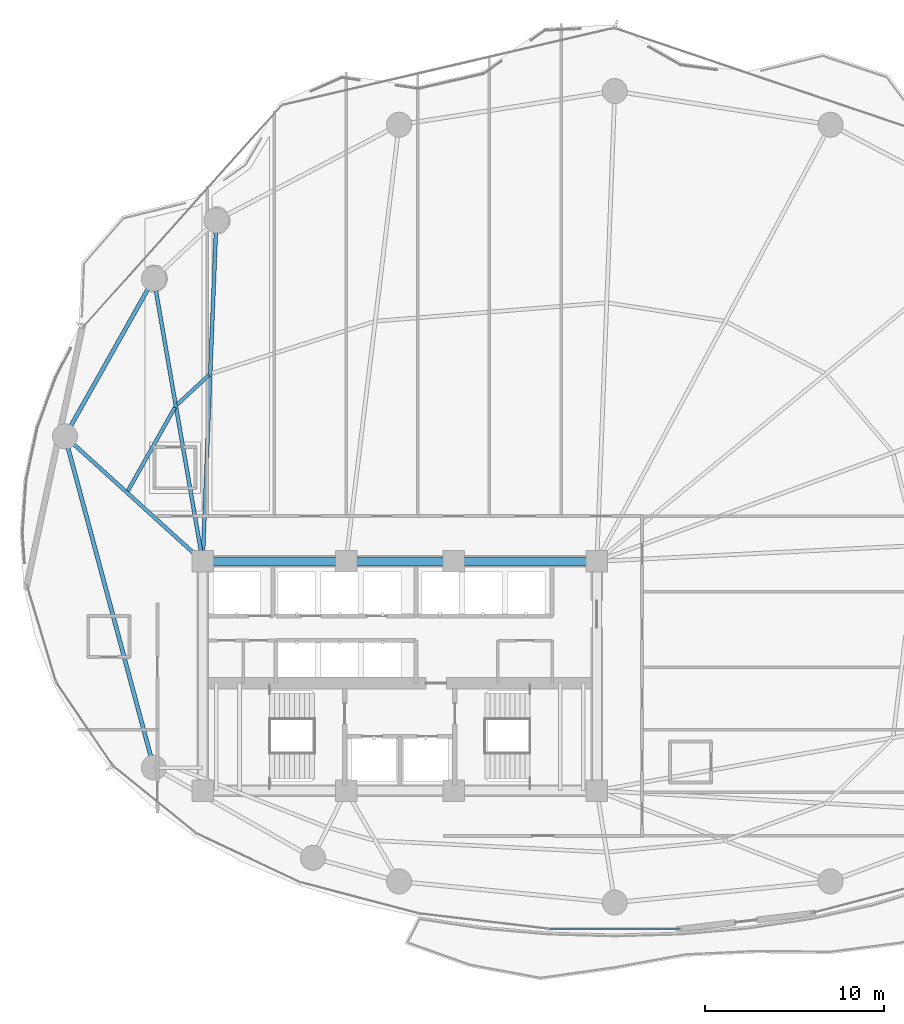
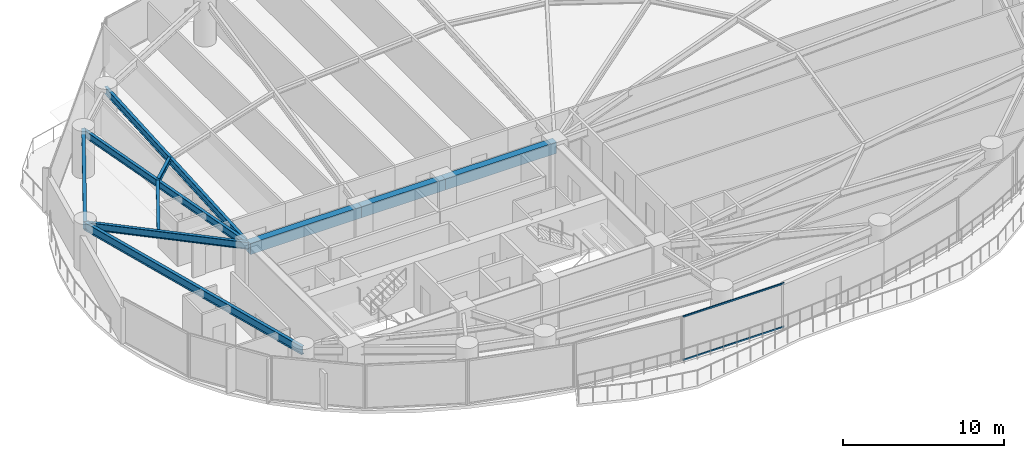
# One storey, part 9 of 31: 10 beams, 2 members, 1 element without a shape of its own.
"""IFC4 building model written with IfcOpenShell, lengths in metres."""

import ifcopenshell
import ifcopenshell.guid

model = None  # the IFC model being written
_history = None  # IfcOwnerHistory: only IFC2X3 demands one
_inside = {}  # id of a spatial element -> (the spatial element, [elements in it])
_under = {}  # id of a project, library or spatial element -> (it, [spatial elements below it])
_declared = {}  # id of a project -> (the project, [libraries it declares])
_typed = {}  # id of a type object -> (the type object, [elements of that type])
_made_of = {}  # id of a material, layer set ... -> (it, [elements and type objects made of it])


def new_model(schema):
    """Start an empty IFC model of exactly this schema.

    Asked for "IFC4X3", IfcOpenShell would pick the latest addendum, in which some entities
    have other attributes; the version numbers below select the first issue.
    IFC2X3 requires an IfcOwnerHistory on every rooted entity: one is made here for all.
    """
    global model, _history
    if schema == "IFC4X3":
        model = ifcopenshell.file(schema_version=(4, 3, 0, 0))
    else:
        model = ifcopenshell.file(schema=schema)
    _inside.clear()
    _under.clear()
    _declared.clear()
    _typed.clear()
    _made_of.clear()
    _history = None
    if model.schema == "IFC2X3":
        org = make("IfcOrganization", Name="unknown")
        user = make(
            "IfcPersonAndOrganization",
            ThePerson=make("IfcPerson", FamilyName="unknown"),
            TheOrganization=org,
        )
        app = make(
            "IfcApplication",
            ApplicationDeveloper=org,
            Version="unknown",
            ApplicationFullName="unknown",
            ApplicationIdentifier="unknown",
        )
        _history = make(
            "IfcOwnerHistory",
            OwningUser=user,
            OwningApplication=app,
            ChangeAction="ADDED",
            CreationDate=0,
        )
    return model


def make(cls, **values):
    """One entity of the class cls with the attributes given. An attribute that is None is left unset."""
    return model.create_entity(
        cls, **{name: value for name, value in values.items() if value is not None}
    )


def rooted(cls, **values):
    """An entity with a GlobalId (a new one), such as an element, a storey or a relation."""
    return make(cls, GlobalId=ifcopenshell.guid.new(), OwnerHistory=_history, **values)


def si_unit(unit_type, name, prefix=None):
    """IfcSIUnit, for example si_unit("LENGTHUNIT", "METRE", prefix="MILLI")."""
    return make("IfcSIUnit", UnitType=unit_type, Prefix=prefix, Name=name)


def assignment(units):
    """IfcUnitAssignment: the units of a project."""
    return None if units is None else make("IfcUnitAssignment", Units=units)


def point(xyz):
    """IfcCartesianPoint."""
    return None if xyz is None else make("IfcCartesianPoint", Coordinates=xyz)


def direction(xyz):
    """IfcDirection."""
    return None if xyz is None else make("IfcDirection", DirectionRatios=xyz)


def frame(location, z_axis=None, x_axis=None):
    """IfcAxis2Placement3D, a coordinate frame: its origin and axes. An axis left out is left unset."""
    return make(
        "IfcAxis2Placement3D",
        Location=point(location),
        Axis=direction(z_axis),
        RefDirection=direction(x_axis),
    )


def frame_2d(location, x_axis=None):
    """IfcAxis2Placement2D, a coordinate frame in the plane: its origin and x axis."""
    return make(
        "IfcAxis2Placement2D", Location=point(location), RefDirection=direction(x_axis)
    )


def origin():
    """The frame at (0, 0, 0) with its axes left unset."""
    return frame((0.0, 0.0, 0.0))


def origin_2d():
    """The frame at (0, 0) in the plane with its x axis left unset."""
    return frame_2d((0.0, 0.0))


def place(relative_to, where):
    """IfcLocalPlacement: puts the frame where relative to a parent placement (None: the world)."""
    return make(
        "IfcLocalPlacement", PlacementRelTo=relative_to, RelativePlacement=where
    )


def context(
    kind, dimensions, precision=None, world=None, true_north=None, identifier=None
):
    """IfcGeometricRepresentationContext, for example the 3D "Model" context."""
    return make(
        "IfcGeometricRepresentationContext",
        ContextIdentifier=identifier,
        ContextType=kind,
        CoordinateSpaceDimension=dimensions,
        Precision=precision,
        WorldCoordinateSystem=world,
        TrueNorth=true_north,
    )


def subcontext(parent, identifier, kind, view, scale=None):
    """IfcGeometricRepresentationSubContext, for example "Body" below "Model"."""
    return make(
        "IfcGeometricRepresentationSubContext",
        ContextIdentifier=identifier,
        ContextType=kind,
        ParentContext=parent,
        TargetScale=scale,
        TargetView=view,
    )


def project(units=None, contexts=None):
    """IfcProject with its units and contexts."""
    return rooted(
        "IfcProject",
        Name="project",
        RepresentationContexts=contexts,
        UnitsInContext=assignment(units),
    )


def spatial(cls, under=None, at=None, **own):
    """A site, building, storey or space (cls), placed at a placement, below another one or the project."""
    s = rooted(cls, ObjectPlacement=at, **own)
    if under is not None:
        _under.setdefault(under.id(), (under, []))[1].append(s)
    return s


def profile(cls, at=None, kind="AREA", **sizes):
    """A parametric profile (cls). Its sizes go by their IFC names, for example OverallWidth=200.0."""
    return make(cls, ProfileType=kind, Position=at, **sizes)


def rectangle(**sizes):
    """IfcRectangleProfileDef."""
    return profile("IfcRectangleProfileDef", **sizes)


def hollow_rectangle(**sizes):
    """IfcRectangleHollowProfileDef."""
    return profile("IfcRectangleHollowProfileDef", **sizes)


def i_section(**sizes):
    """IfcIShapeProfileDef."""
    return profile("IfcIShapeProfileDef", **sizes)


def extrude(swept, where, along, depth):
    """IfcExtrudedAreaSolid: the profile swept, set in the frame where, extruded along a direction by depth."""
    return make(
        "IfcExtrudedAreaSolid",
        SweptArea=swept,
        Position=where,
        ExtrudedDirection=direction(along),
        Depth=depth,
    )


def shape(context_of_items, identifier, shape_type, items):
    """IfcShapeRepresentation: the items that make up one representation, for example the "Body"."""
    return make(
        "IfcShapeRepresentation",
        ContextOfItems=context_of_items,
        RepresentationIdentifier=identifier,
        RepresentationType=shape_type,
        Items=items,
    )


def material(Name=None, Category=None):
    """IfcMaterial."""
    return make("IfcMaterial", Name=Name, Category=Category)


def layer(
    of_material, thickness, ventilated=None, Name=None, Category=None, Priority=None
):
    """IfcMaterialLayer: one layer of a wall or slab, of a material (None: an air gap)."""
    return make(
        "IfcMaterialLayer",
        Material=of_material,
        LayerThickness=thickness,
        IsVentilated=ventilated,
        Name=Name,
        Category=Category,
        Priority=Priority,
    )


def layer_set(layers, Name=None):
    """IfcMaterialLayerSet."""
    return make("IfcMaterialLayerSet", MaterialLayers=layers, LayerSetName=Name)


def material_profile(
    of_material, cross_section, Name=None, Category=None, Priority=None
):
    """IfcMaterialProfile: a cross section and its material."""
    return make(
        "IfcMaterialProfile",
        Name=Name,
        Material=of_material,
        Profile=cross_section,
        Priority=Priority,
        Category=Category,
    )


def profile_set(profiles, Name=None, composite=None):
    """IfcMaterialProfileSet."""
    return make(
        "IfcMaterialProfileSet",
        Name=Name,
        MaterialProfiles=profiles,
        CompositeProfile=composite,
    )


def made_of(thing, what):
    """Note that an element or type object is made of a material, layer set ...; save() writes the relation."""
    if what is not None:
        _made_of.setdefault(what.id(), (what, []))[1].append(thing)
    return thing


def type_object(cls, material=None, **own):
    """A type object (cls), such as IfcWallType, which elements share."""
    return made_of(rooted(cls, **own), material)


def element(
    cls,
    number,
    at=None,
    inside=None,
    cuts=None,
    type_object=None,
    material=None,
    context=None,
    identifier="Body",
    shape_type=None,
    held_by="IfcProductDefinitionShape",
    body=None,
    shapes=None,
    **own,
):
    """One element of the class cls, such as IfcWall. Its Tag is "e" and its number.

    at: its placement. inside: the storey or other place that contains it. cuts: it is an
    opening in that element (IfcRelVoidsElement). A single representation is given by context,
    identifier, shape_type and body (its items); several are given by shapes. held_by: the class
    of the entity that holds the representations. save() writes the other relations.
    """
    e = rooted(cls, Tag="e%d" % number, ObjectPlacement=at, **own)
    if body is not None:
        shapes = [shape(context, identifier, shape_type, body)]
    if shapes is not None:
        e.Representation = make(held_by, Representations=shapes)
    if inside is not None:
        _inside.setdefault(inside.id(), (inside, []))[1].append(e)
    if cuts is not None:
        rooted(
            "IfcRelVoidsElement", RelatingBuildingElement=cuts, RelatedOpeningElement=e
        )
    if type_object is not None:
        _typed.setdefault(type_object.id(), (type_object, []))[1].append(e)
    return made_of(e, material)


def aggregate(whole, parts):
    """IfcRelAggregates: a whole, such as a stair, and the parts it consists of."""
    return rooted("IfcRelAggregates", RelatingObject=whole, RelatedObjects=parts)


def save(model, path):
    """Write the relations noted so far, then the file.

    IfcRelAggregates (storeys below a building ...), IfcRelContainedInSpatialStructure (elements
    in a storey), IfcRelDefinesByType, IfcRelAssociatesMaterial and IfcRelDeclares: one each for
    every whole, place, type object, material and project.
    """
    for whole, parts in _under.values():
        aggregate(whole, parts)
    for where, things in _inside.values():
        rooted(
            "IfcRelContainedInSpatialStructure",
            RelatedElements=things,
            RelatingStructure=where,
        )
    for kind, things in _typed.values():
        rooted("IfcRelDefinesByType", RelatedObjects=things, RelatingType=kind)
    for what, things in _made_of.values():
        rooted("IfcRelAssociatesMaterial", RelatedObjects=things, RelatingMaterial=what)
    for by, libraries in _declared.values():
        rooted("IfcRelDeclares", RelatingContext=by, RelatedDefinitions=libraries)
    model.write(path)


model = new_model("IFC4")

# Units and contexts
model_context = context("Model", 3, precision=1e-05, world=origin(), true_north=direction((0.0, 1.0)))
body_context = subcontext(model_context, "Body", "Model", "MODEL_VIEW")
ifc_project = project(units=[si_unit("LENGTHUNIT", "METRE"), si_unit("AREAUNIT", "SQUARE_METRE"), si_unit("VOLUMEUNIT", "CUBIC_METRE"), si_unit("PLANEANGLEUNIT", "RADIAN"), si_unit("MASSUNIT", "GRAM", prefix="KILO")], contexts=[model_context])

# Site, building, storey
site_placement = place(None, origin())
site = spatial("IfcSite", under=ifc_project, at=site_placement, CompositionType="ELEMENT")
building_placement = place(site_placement, origin())
building = spatial("IfcBuilding", under=site, at=building_placement, Name="Kazevale Care Tower and Concert Hall", CompositionType="ELEMENT")
storey_placement = place(building_placement, frame((0.0, 0.0, 78.0)))
storey = spatial("IfcBuildingStorey", under=building, at=storey_placement, Name="L20", CompositionType="ELEMENT", Elevation=78.0)

# Curtain wall, members
ifc_material_1 = material(Name="Aluminium 6063-T6 and Low-E Glass", Category="aluminium")
ifc_layer = layer(ifc_material_1, 0.179931640625)
ifc_layer_set = layer_set([ifc_layer], Name="Aluminium 6063-T6 and Low-E Glass")
curtain_wall_type = type_object("IfcCurtainWallType", Name="Sheltered Concave Balcony Curtain Wall CW-5", PredefinedType="NOTDEFINED", material=ifc_layer_set)
curtain_wall_placement = place(storey_placement, origin())
curtain_wall = element("IfcCurtainWall", 1, at=curtain_wall_placement, inside=storey, type_object=curtain_wall_type, Name="cw:L20:f06", PredefinedType="NOTDEFINED")
ifc_material_2 = material(Name="Aluminium 6063-T6", Category="aluminium")
ifc_material_profile_1 = material_profile(ifc_material_2, hollow_rectangle(XDim=0.074951171875, YDim=0.1201171875, WallThickness=0.00390625, at=origin_2d()), Name="ALU75x120x4")
ifc_profile_set_1 = profile_set([ifc_material_profile_1], Name="Aluminium 6063-T6")
member_type = type_object("IfcMemberType", Name="CW-5 Transom ALU75x120x4", PredefinedType="USERDEFINED", material=ifc_profile_set_1)
member_1_placement = place(storey_placement, frame((48.632080078125, 15.885986328125, 0.03759765625), z_axis=(-1.0, 0.0, 0.0), x_axis=(0.0, -1.0, 0.0)))
member_1 = element("IfcMember", 2, at=member_1_placement, type_object=member_type, Name="CW-5 transom 1.1", ObjectType="TRANSOM", PredefinedType="USERDEFINED", context=body_context, shape_type="SweptSolid", body=[
    extrude(hollow_rectangle(XDim=0.074951171875, YDim=0.1201171875, WallThickness=0.00390625, at=origin_2d()), origin(), (0.0, 0.0, 1.0), 7.26416015625),
])
member_2_placement = place(storey_placement, frame((48.632080078125, 15.885986328125, 3.322509765625), z_axis=(-1.0, 0.0, 0.0), x_axis=(0.0, -1.0, 0.0)))
member_2 = element("IfcMember", 3, at=member_2_placement, type_object=member_type, Name="CW-5 transom 1.2", ObjectType="TRANSOM", PredefinedType="USERDEFINED", context=body_context, shape_type="SweptSolid", body=[
    extrude(hollow_rectangle(XDim=0.074951171875, YDim=0.1201171875, WallThickness=0.00390625, at=origin_2d()), origin(), (0.0, 0.0, 1.0), 7.26416015625),
])
aggregate(curtain_wall, [member_1, member_2])

# Beams
ifc_material_3 = material(Name="Concrete C60", Category="concrete")
ifc_material_profile_2 = material_profile(ifc_material_3, rectangle(XDim=0.5, YDim=0.85009765625, at=origin_2d()), Name="RC-B500x850")
ifc_profile_set_2 = profile_set([ifc_material_profile_2], Name="Concrete C60")
beam_type_1 = type_object("IfcBeamType", Name="Core Coupling Beam RC500x850", PredefinedType="LINTEL", material=ifc_profile_set_2)
beam_1_placement = place(storey_placement, frame((44.0, 36.39990234375, 2.93505859375), z_axis=(-1.0, 0.0, 0.0), x_axis=(0.0, -1.0, 0.0)))
element("IfcBeam", 4, at=beam_1_placement, inside=storey, type_object=beam_type_1, Name="beam:L20:coretie:5", PredefinedType="LINTEL", context=body_context, shape_type="SweptSolid", body=[
    extrude(rectangle(XDim=0.5, YDim=0.85009765625, at=origin_2d()), origin(), (0.0, 0.0, 1.0), 8.0),
])
beam_2_placement = place(storey_placement, frame((36.0, 36.39990234375, 2.93505859375), z_axis=(-1.0, 0.0, 0.0), x_axis=(0.0, -1.0, 0.0)))
element("IfcBeam", 5, at=beam_2_placement, inside=storey, type_object=beam_type_1, Name="beam:L20:coretie:6", PredefinedType="LINTEL", context=body_context, shape_type="SweptSolid", body=[
    extrude(rectangle(XDim=0.5, YDim=0.85009765625, at=origin_2d()), origin(), (0.0, 0.0, 1.0), 6.0),
])
beam_3_placement = place(storey_placement, frame((30.0, 36.39990234375, 2.93505859375), z_axis=(-1.0, 0.0, 0.0), x_axis=(0.0, -1.0, 0.0)))
element("IfcBeam", 6, at=beam_3_placement, inside=storey, type_object=beam_type_1, Name="beam:L20:coretie:7", PredefinedType="LINTEL", context=body_context, shape_type="SweptSolid", body=[
    extrude(rectangle(XDim=0.5, YDim=0.85009765625, at=origin_2d()), origin(), (0.0, 0.0, 1.0), 8.0),
])
ifc_material_4 = material(Name="Steel ASTM A572 Gr 50", Category="steel")
ifc_material_profile_3 = material_profile(ifc_material_4, i_section(OverallWidth=0.2119140625, OverallDepth=0.5439453125, WebThickness=0.01318359375, FlangeThickness=0.021240234375, at=origin_2d()), Name="W530x123")
ifc_profile_set_3 = profile_set([ifc_material_profile_3], Name="Steel ASTM A572 Gr 50")
beam_type_2 = type_object("IfcBeamType", Name="Radial Floor Girder W530x123", PredefinedType="BEAM", material=ifc_profile_set_3)
beam_4_placement = place(storey_placement, frame((22.0, 36.39990234375, 3.087890625), z_axis=(0.039905581428, 0.999203455044, 0.0), x_axis=(-0.999203455044, 0.039905581428, 0.0)))
element("IfcBeam", 7, at=beam_4_placement, inside=storey, type_object=beam_type_2, Name="beam:L20:rad:07", PredefinedType="BEAM", context=body_context, shape_type="SweptSolid", body=[
    extrude(i_section(OverallWidth=0.2119140625, OverallDepth=0.5439453125, WebThickness=0.01318359375, FlangeThickness=0.021240234375, at=origin_2d()), origin(), (0.0, 0.0, 1.0), 19.045166015625),
])
beam_5_placement = place(storey_placement, frame((22.0, 36.39990234375, 3.087890625), z_axis=(-0.170469986865, 0.985362868987, 0.0), x_axis=(-0.985362868987, -0.170469986865, 0.0)))
element("IfcBeam", 8, at=beam_5_placement, inside=storey, type_object=beam_type_2, Name="beam:L20:rad:08", PredefinedType="BEAM", context=body_context, shape_type="SweptSolid", body=[
    extrude(i_section(OverallWidth=0.2119140625, OverallDepth=0.5439453125, WebThickness=0.01318359375, FlangeThickness=0.021240234375, at=origin_2d()), origin(), (0.0, 0.0, 1.0), 16.014404296875),
])
beam_6_placement = place(storey_placement, frame((22.0, 36.39990234375, 3.087890625), z_axis=(-0.740461073653, 0.672099247436, 0.0), x_axis=(-0.672099247436, -0.740461073653, 0.0)))
element("IfcBeam", 9, at=beam_6_placement, inside=storey, type_object=beam_type_2, Name="beam:L20:rad:09", PredefinedType="BEAM", context=body_context, shape_type="SweptSolid", body=[
    extrude(i_section(OverallWidth=0.2119140625, OverallDepth=0.5439453125, WebThickness=0.01318359375, FlangeThickness=0.021240234375, at=origin_2d()), origin(), (0.0, 0.0, 1.0), 10.38525390625),
])
ifc_material_profile_4 = material_profile(ifc_material_4, i_section(OverallWidth=0.22900390625, OverallDepth=0.612060546875, WebThickness=0.011962890625, FlangeThickness=0.01953125, at=origin_2d()), Name="W610x125")
ifc_profile_set_4 = profile_set([ifc_material_profile_4], Name="Steel ASTM A572 Gr 50")
beam_type_3 = type_object("IfcBeamType", Name="Ring Spandrel Beam W610x125", PredefinedType="SPANDREL", material=ifc_profile_set_4)
beam_7_placement = place(storey_placement, frame((19.27001953125, 52.179931640625, 3.053955078125), z_axis=(-0.491008061092, -0.87115502865, 0.0), x_axis=(0.87115502865, -0.491008061092, 0.0)))
element("IfcBeam", 10, at=beam_7_placement, inside=storey, type_object=beam_type_3, Name="beam:L20:ring:08", PredefinedType="SPANDREL", context=body_context, shape_type="SweptSolid", body=[
    extrude(i_section(OverallWidth=0.22900390625, OverallDepth=0.612060546875, WebThickness=0.011962890625, FlangeThickness=0.01953125, at=origin_2d()), origin(), (0.0, 0.0, 1.0), 10.1015625),
])
beam_8_placement = place(storey_placement, frame((14.31005859375, 43.3798828125, 3.053955078125), z_axis=(0.258960352031, -0.965887952133, 0.0), x_axis=(0.965887952133, 0.258960352031, 0.0)))
element("IfcBeam", 11, at=beam_8_placement, inside=storey, type_object=beam_type_3, Name="beam:L20:ring:09", PredefinedType="SPANDREL", context=body_context, shape_type="SweptSolid", body=[
    extrude(i_section(OverallWidth=0.22900390625, OverallDepth=0.612060546875, WebThickness=0.011962890625, FlangeThickness=0.01953125, at=origin_2d()), origin(), (0.0, 0.0, 1.0), 19.1533203125),
])
ifc_material_profile_5 = material_profile(ifc_material_4, i_section(OverallWidth=0.205078125, OverallDepth=0.35400390625, WebThickness=0.009521484375, FlangeThickness=0.016845703125, at=origin_2d()), Name="W360x79")
ifc_profile_set_5 = profile_set([ifc_material_profile_5], Name="Steel ASTM A572 Gr 50")
beam_type_4 = type_object("IfcBeamType", Name="Secondary Floor Joist W360x79", PredefinedType="JOIST", material=ifc_profile_set_5)
beam_9_placement = place(storey_placement, frame((22.341064453125, 46.794921875, 3.18310546875), z_axis=(-0.73194965424, -0.68135871878, 0.0), x_axis=(0.68135871878, -0.73194965424, 0.0)))
element("IfcBeam", 12, at=beam_9_placement, inside=storey, type_object=beam_type_4, Name="beam:L20:joist:07", PredefinedType="JOIST", context=body_context, shape_type="SweptSolid", body=[
    extrude(i_section(OverallWidth=0.205078125, OverallDepth=0.35400390625, WebThickness=0.009521484375, FlangeThickness=0.016845703125, at=origin_2d()), origin(), (0.0, 0.0, 1.0), 2.412841796875),
])
beam_10_placement = place(storey_placement, frame((20.447021484375, 44.988037109375, 3.18310546875), z_axis=(-0.490956987312, -0.871183813331, 0.0), x_axis=(0.871183813331, -0.490956987312, 0.0)))
element("IfcBeam", 13, at=beam_10_placement, inside=storey, type_object=beam_type_4, Name="beam:L20:joist:08", PredefinedType="JOIST", context=body_context, shape_type="SweptSolid", body=[
    extrude(i_section(OverallWidth=0.205078125, OverallDepth=0.35400390625, WebThickness=0.009521484375, FlangeThickness=0.016845703125, at=origin_2d()), origin(), (0.0, 0.0, 1.0), 5.3466796875),
])

save(model, "model.ifc")
